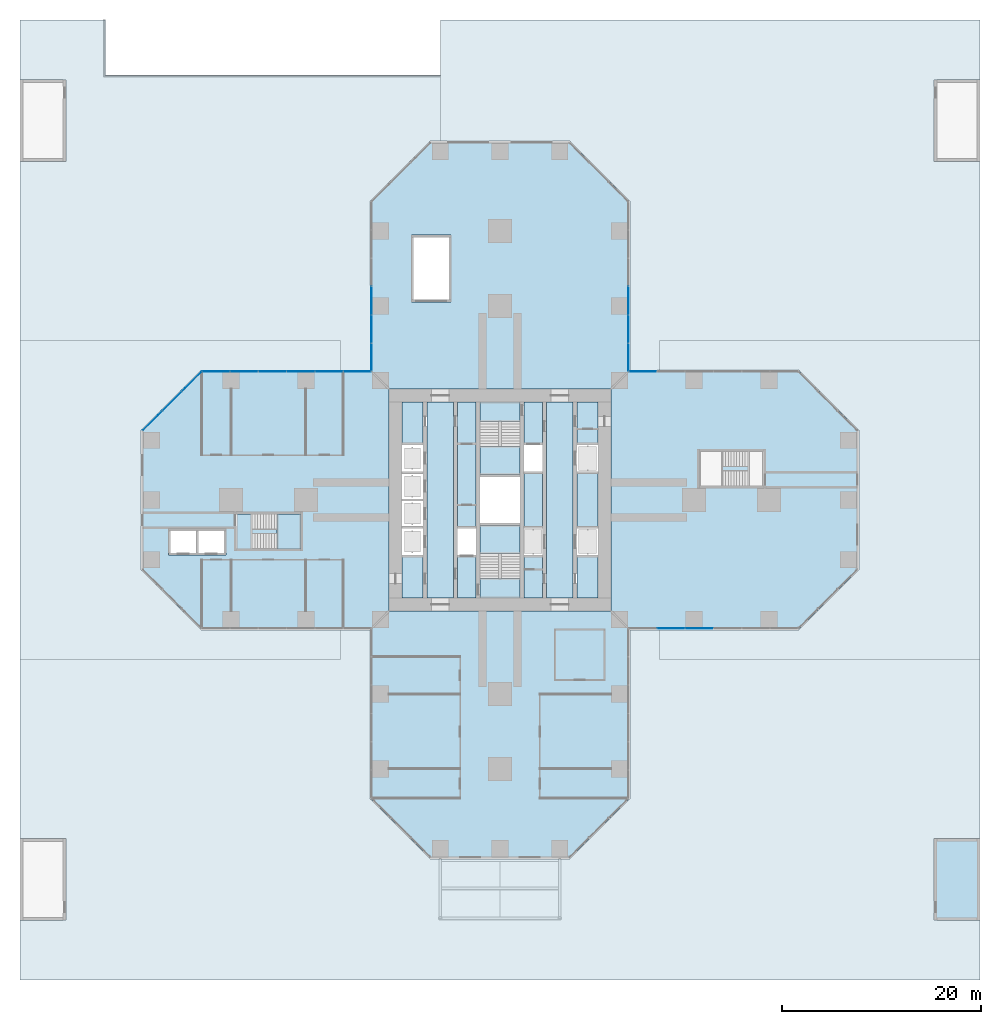
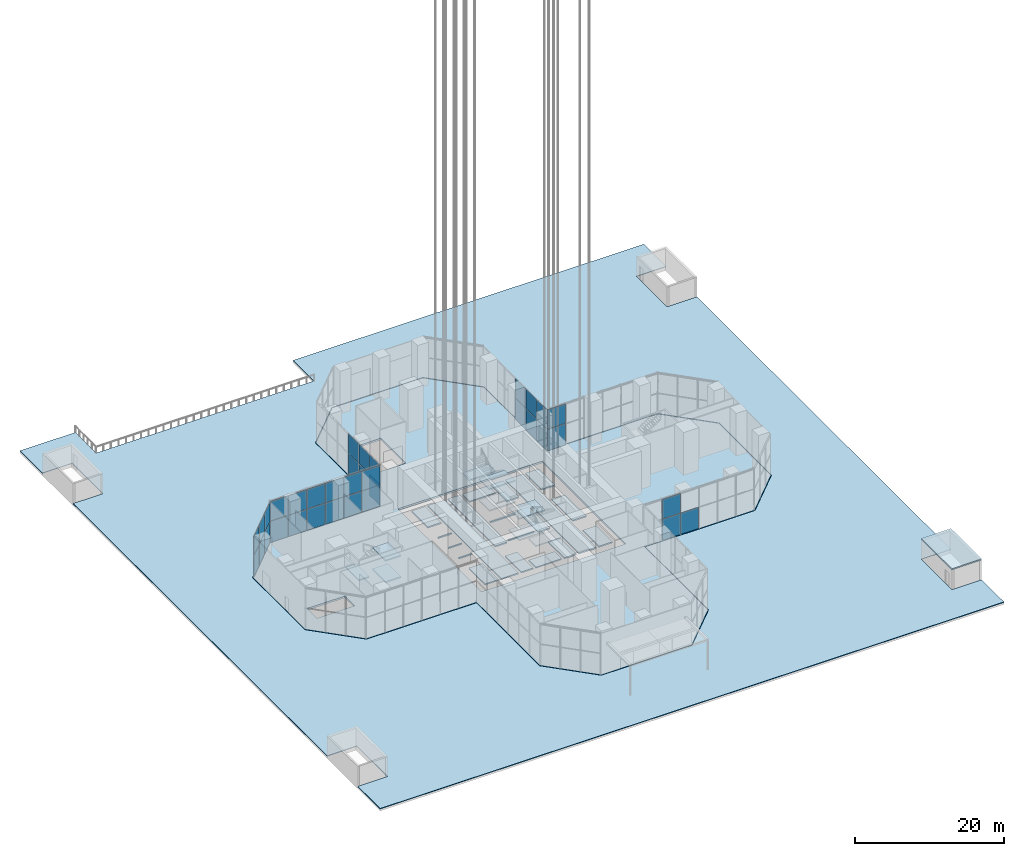
# One storey, part 14 of 43: 35 plates, 15 slabs, 9 elements without a shape of their own.
"""IFC4 building model written with IfcOpenShell, lengths in metres."""

from ifc_helpers import new_model, si_unit, direction, frame, origin, origin_2d, place, context, subcontext, project, spatial, polyline, rectangle, outline, extrude, material, layer, layer_set, type_object, element, aggregate, save


model = new_model("IFC4")

# Units and contexts
model_context = context("Model", 3, precision=1e-05, world=origin(), true_north=direction((0.0, 1.0)))
body_context = subcontext(model_context, "Body", "Model", "MODEL_VIEW")
ifc_project = project(units=[si_unit("LENGTHUNIT", "METRE"), si_unit("AREAUNIT", "SQUARE_METRE"), si_unit("VOLUMEUNIT", "CUBIC_METRE"), si_unit("PLANEANGLEUNIT", "RADIAN"), si_unit("MASSUNIT", "GRAM", prefix="KILO")], contexts=[model_context])

# Site, building, storey
site_placement = place(None, origin())
site = spatial("IfcSite", under=ifc_project, at=site_placement, CompositionType="ELEMENT")
building_placement = place(site_placement, origin())
building = spatial("IfcBuilding", under=site, at=building_placement, Name="Mizan Broadcast Tower", CompositionType="ELEMENT")
storey_placement = place(building_placement, origin())
storey = spatial("IfcBuildingStorey", under=building, at=storey_placement, Name="L00", CompositionType="ELEMENT", Elevation=0.0)

# Slabs
ifc_material_1 = material(Name="Concrete C40/50", Category="concrete")
ifc_layer_1 = layer(ifc_material_1, 0.199951171875)
ifc_layer_set_1 = layer_set([ifc_layer_1], Name="Concrete C40/50")
slab_type_1 = type_object("IfcSlabType", Name="CORE FLOOR 200", PredefinedType="FLOOR", material=ifc_layer_set_1)
slab_1_placement = place(storey_placement, frame((0.0, 0.0, -0.199951171875)))
element("IfcSlab", 1, at=slab_1_placement, inside=storey, type_object=slab_type_1, Name="Core floor L00", PredefinedType="FLOOR", context=body_context, shape_type="SweptSolid", body=[
    extrude(outline(polyline([(-9.85009765625, -9.85009765625), (-7.75, -9.85009765625), (-7.75, -5.5), (-9.85009765625, -5.5), (-9.85009765625, -9.85009765625)])), origin(), (0.0, 0.0, 1.0), 0.199951171875),
    extrude(outline(polyline([(-9.85009765625, -2.85009765625), (-7.75, -2.85009765625), (-7.75, -2.64990234375), (-9.85009765625, -2.64990234375), (-9.85009765625, -2.85009765625)])), origin(), (0.0, 0.0, 1.0), 0.199951171875),
    extrude(outline(polyline([(-9.85009765625, -0.10009765625), (-7.75, -0.10009765625), (-7.75, 0.10009765625), (-9.85009765625, 0.10009765625), (-9.85009765625, -0.10009765625)])), origin(), (0.0, 0.0, 1.0), 0.199951171875),
    extrude(outline(polyline([(-9.85009765625, 2.64990234375), (-7.75, 2.64990234375), (-7.75, 2.85009765625), (-9.85009765625, 2.85009765625), (-9.85009765625, 2.64990234375)])), origin(), (0.0, 0.0, 1.0), 0.199951171875),
    extrude(outline(polyline([(-9.85009765625, 5.5), (-7.75, 5.5), (-7.75, 9.85009765625), (-9.85009765625, 9.85009765625), (-9.85009765625, 5.5)])), origin(), (0.0, 0.0, 1.0), 0.199951171875),
    extrude(outline(polyline([(-4.64990234375, 9.85009765625), (-7.35009765625, 9.85009765625), (-7.35009765625, -9.85009765625), (-4.64990234375, -9.85009765625), (-4.64990234375, 9.85009765625)])), origin(), (0.0, 0.0, 1.0), 0.199951171875),
    extrude(outline(polyline([(-4.25, -5.5), (-4.25, -9.85009765625), (-2.39990234375, -9.85009765625), (-2.39990234375, -5.5), (-4.25, -5.5)])), origin(), (0.0, 0.0, 1.0), 0.199951171875),
    extrude(outline(polyline([(-4.25, -2.85009765625), (-2.39990234375, -2.85009765625), (-2.39990234375, 9.85009765625), (-4.25, 9.85009765625), (-4.25, -2.85009765625)])), origin(), (0.0, 0.0, 1.0), 0.199951171875),
    extrude(outline(polyline([(2.0, -2.324951171875), (-2.0, -2.324951171875), (-2.0, -2.574951171875), (2.0, -2.574951171875), (2.0, -2.324951171875)])), origin(), (0.0, 0.0, 1.0), 0.199951171875),
    extrude(outline(polyline([(2.0, 2.574951171875), (-2.0, 2.574951171875), (-2.0, 2.324951171875), (2.0, 2.324951171875), (2.0, 2.574951171875)])), origin(), (0.0, 0.0, 1.0), 0.199951171875),
    extrude(outline(polyline([(4.25, -9.85009765625), (4.25, -5.5), (2.39990234375, -5.5), (2.39990234375, -9.85009765625), (4.25, -9.85009765625)])), origin(), (0.0, 0.0, 1.0), 0.199951171875),
    extrude(outline(polyline([(4.25, -2.85009765625), (4.25, 2.85009765625), (2.39990234375, 2.85009765625), (2.39990234375, -2.85009765625), (4.25, -2.85009765625)])), origin(), (0.0, 0.0, 1.0), 0.199951171875),
    extrude(outline(polyline([(4.25, 5.5), (4.25, 9.85009765625), (2.39990234375, 9.85009765625), (2.39990234375, 5.5), (4.25, 5.5)])), origin(), (0.0, 0.0, 1.0), 0.199951171875),
    extrude(outline(polyline([(4.64990234375, 9.85009765625), (4.64990234375, -9.85009765625), (7.35009765625, -9.85009765625), (7.35009765625, 9.85009765625), (4.64990234375, 9.85009765625)])), origin(), (0.0, 0.0, 1.0), 0.199951171875),
    extrude(outline(polyline([(9.85009765625, -9.85009765625), (9.85009765625, -5.5), (7.75, -5.5), (7.75, -9.85009765625), (9.85009765625, -9.85009765625)])), origin(), (0.0, 0.0, 1.0), 0.199951171875),
    extrude(outline(polyline([(7.75, 2.85009765625), (7.75, -2.85009765625), (9.85009765625, -2.85009765625), (9.85009765625, 2.85009765625), (7.75, 2.85009765625)])), origin(), (0.0, 0.0, 1.0), 0.199951171875),
    extrude(outline(polyline([(9.85009765625, 5.5), (9.85009765625, 9.85009765625), (7.75, 9.85009765625), (7.75, 5.5), (9.85009765625, 5.5)])), origin(), (0.0, 0.0, 1.0), 0.199951171875),
])
ifc_material_2 = material(Name="Granite paving on bedding", Category="masonry")
ifc_layer_2 = layer(ifc_material_2, 0.10009765625)
ifc_layer_set_2 = layer_set([ifc_layer_2], Name="Granite paving on bedding")
slab_type_2 = type_object("IfcSlabType", Name="PLAZA PAVING 100", PredefinedType="USERDEFINED", material=ifc_layer_set_2)
slab_2_placement = place(storey_placement, frame((0.0, 0.0, -0.10009765625)))
element("IfcSlab", 2, at=slab_2_placement, inside=storey, type_object=slab_type_2, Name="Plaza paving", ObjectType="PAVING", PredefinedType="USERDEFINED", context=body_context, shape_type="SweptSolid", body=[
    extrude(outline(polyline([(-6.0, 48.199951171875), (-6.0, 42.64990234375), (-39.60009765625, 42.64990234375), (-39.60009765625, 48.199951171875), (-48.199951171875, 48.199951171875), (-48.199951171875, 42.199951171875), (-43.60009765625, 42.199951171875), (-43.60009765625, 34.0), (-48.199951171875, 34.0), (-48.199951171875, -34.0), (-43.60009765625, -34.0), (-43.60009765625, -42.199951171875), (-48.199951171875, -42.199951171875), (-48.199951171875, -48.199951171875), (48.199951171875, -48.199951171875), (48.199951171875, -42.199951171875), (43.60009765625, -42.199951171875), (43.60009765625, -34.0), (48.199951171875, -34.0), (48.199951171875, 34.0), (43.60009765625, 34.0), (43.60009765625, 42.199951171875), (48.199951171875, 42.199951171875), (48.199951171875, 48.199951171875), (-6.0, 48.199951171875)]), holes=[polyline([(13.050048828125, 30.020751953125), (13.050048828125, 13.050048828125), (30.020751953125, 13.050048828125), (36.050048828125, 7.020751953125), (36.050048828125, -7.020751953125), (30.020751953125, -13.050048828125), (13.050048828125, -13.050048828125), (13.050048828125, -30.020751953125), (7.020751953125, -36.050048828125), (-7.020751953125, -36.050048828125), (-13.050048828125, -30.020751953125), (-13.050048828125, -13.050048828125), (-30.020751953125, -13.050048828125), (-36.050048828125, -7.020751953125), (-36.050048828125, 7.020751953125), (-30.020751953125, 13.050048828125), (-13.050048828125, 13.050048828125), (-13.050048828125, 30.020751953125), (-7.020751953125, 36.050048828125), (7.020751953125, 36.050048828125), (13.050048828125, 30.020751953125)])]), origin(), (0.0, 0.0, 1.0), 0.10009765625),
])

# Curtain wall, plates
ifc_material_3 = material(Name="Aluminium framed glazing", Category="aluminium")
curtain_wall_type = type_object("IfcCurtainWallType", Name="PODIUM CURTAIN WALL", PredefinedType="USERDEFINED", material=ifc_material_3)
curtain_wall_1_placement = place(storey_placement, origin())
curtain_wall_1 = element("IfcCurtainWall", 3, at=curtain_wall_1_placement, inside=storey, type_object=curtain_wall_type, Name="Podium curtain wall L00 E side", ObjectType="PODIUM CURTAIN WALL", PredefinedType="USERDEFINED")
ifc_material_4 = material(Name="Double glazing, clear laminated", Category="glass")
ifc_layer_3 = layer(ifc_material_4, 0.031982421875)
ifc_layer_set_3 = layer_set([ifc_layer_3], Name="Double glazing, clear laminated")
plate_type = type_object("IfcPlateType", Name="PODIUM GLAZING UNIT", PredefinedType="CURTAIN_PANEL", material=ifc_layer_set_3)
plate_1_placement = place(storey_placement, frame((17.16455078125, -12.89990234375, 0.0), z_axis=(0.0, 0.0, 1.0), x_axis=(1.0, 0.0, 0.0)))
plate_1 = element("IfcPlate", 4, at=plate_1_placement, type_object=plate_type, Name="Podium curtain wall L00 E side panel 2.1", PredefinedType="CURTAIN_PANEL", context=body_context, shape_type="SweptSolid", body=[
    extrude(rectangle(XDim=2.783203125, YDim=0.031982421875, at=origin_2d()), origin(), (0.0, 0.0, 1.0), 3.469970703125),
])
plate_2_placement = place(storey_placement, frame((17.16455078125, -12.89990234375, 3.5302734375), z_axis=(0.0, 0.0, 1.0), x_axis=(1.0, 0.0, 0.0)))
plate_2 = element("IfcPlate", 5, at=plate_2_placement, type_object=plate_type, Name="Podium curtain wall L00 E side panel 2.2", PredefinedType="CURTAIN_PANEL", context=body_context, shape_type="SweptSolid", body=[
    extrude(rectangle(XDim=2.783203125, YDim=0.031982421875, at=origin_2d()), origin(), (0.0, 0.0, 1.0), 3.159912109375),
])
plate_3_placement = place(storey_placement, frame((20.0078125, -12.89990234375, 0.0), z_axis=(0.0, 0.0, 1.0), x_axis=(1.0, 0.0, 0.0)))
plate_3 = element("IfcPlate", 6, at=plate_3_placement, type_object=plate_type, Name="Podium curtain wall L00 E side panel 3.1", PredefinedType="CURTAIN_PANEL", context=body_context, shape_type="SweptSolid", body=[
    extrude(rectangle(XDim=2.783203125, YDim=0.031982421875, at=origin_2d()), origin(), (0.0, 0.0, 1.0), 3.469970703125),
])
aggregate(curtain_wall_1, [plate_1, plate_2, plate_3])

curtain_wall_2_placement = place(storey_placement, origin())
curtain_wall_2 = element("IfcCurtainWall", 7, at=curtain_wall_2_placement, inside=storey, type_object=curtain_wall_type, Name="Podium curtain wall L00 E side", ObjectType="PODIUM CURTAIN WALL", PredefinedType="USERDEFINED")
plate_4_placement = place(storey_placement, frame((14.336669921875, 12.89990234375, 0.0), z_axis=(0.0, 0.0, 1.0), x_axis=(-1.0, 0.0, 0.0)))
plate_4 = element("IfcPlate", 8, at=plate_4_placement, type_object=plate_type, Name="Podium curtain wall L00 E side panel 6.1", PredefinedType="CURTAIN_PANEL", context=body_context, shape_type="SweptSolid", body=[
    extrude(rectangle(XDim=2.753173828125, YDim=0.031982421875, at=origin_2d()), origin(), (0.0, 0.0, 1.0), 3.469970703125),
])
plate_5_placement = place(storey_placement, frame((14.336669921875, 12.89990234375, 3.5302734375), z_axis=(0.0, 0.0, 1.0), x_axis=(-1.0, 0.0, 0.0)))
plate_5 = element("IfcPlate", 9, at=plate_5_placement, type_object=plate_type, Name="Podium curtain wall L00 E side panel 6.2", PredefinedType="CURTAIN_PANEL", context=body_context, shape_type="SweptSolid", body=[
    extrude(rectangle(XDim=2.753173828125, YDim=0.031982421875, at=origin_2d()), origin(), (0.0, 0.0, 1.0), 3.159912109375),
])
aggregate(curtain_wall_2, [plate_4, plate_5])

curtain_wall_3_placement = place(storey_placement, origin())
curtain_wall_3 = element("IfcCurtainWall", 10, at=curtain_wall_3_placement, inside=storey, type_object=curtain_wall_type, Name="Podium curtain wall L00 N side", ObjectType="PODIUM CURTAIN WALL", PredefinedType="USERDEFINED")
plate_6_placement = place(storey_placement, frame((12.89990234375, 14.336669921875, 0.0), z_axis=(0.0, 0.0, 1.0), x_axis=(0.0, 1.0, 0.0)))
plate_6 = element("IfcPlate", 11, at=plate_6_placement, type_object=plate_type, Name="Podium curtain wall L00 N side panel 1.1", PredefinedType="CURTAIN_PANEL", context=body_context, shape_type="SweptSolid", body=[
    extrude(rectangle(XDim=2.753173828125, YDim=0.031982421875, at=origin_2d()), origin(), (0.0, 0.0, 1.0), 3.469970703125),
])
plate_7_placement = place(storey_placement, frame((12.89990234375, 14.336669921875, 3.5302734375), z_axis=(0.0, 0.0, 1.0), x_axis=(0.0, 1.0, 0.0)))
plate_7 = element("IfcPlate", 12, at=plate_7_placement, type_object=plate_type, Name="Podium curtain wall L00 N side panel 1.2", PredefinedType="CURTAIN_PANEL", context=body_context, shape_type="SweptSolid", body=[
    extrude(rectangle(XDim=2.753173828125, YDim=0.031982421875, at=origin_2d()), origin(), (0.0, 0.0, 1.0), 3.159912109375),
])
plate_8_placement = place(storey_placement, frame((12.89990234375, 17.16455078125, 0.0), z_axis=(0.0, 0.0, 1.0), x_axis=(0.0, 1.0, 0.0)))
plate_8 = element("IfcPlate", 13, at=plate_8_placement, type_object=plate_type, Name="Podium curtain wall L00 N side panel 2.1", PredefinedType="CURTAIN_PANEL", context=body_context, shape_type="SweptSolid", body=[
    extrude(rectangle(XDim=2.783203125, YDim=0.031982421875, at=origin_2d()), origin(), (0.0, 0.0, 1.0), 3.469970703125),
])
plate_9_placement = place(storey_placement, frame((12.89990234375, 17.16455078125, 3.5302734375), z_axis=(0.0, 0.0, 1.0), x_axis=(0.0, 1.0, 0.0)))
plate_9 = element("IfcPlate", 14, at=plate_9_placement, type_object=plate_type, Name="Podium curtain wall L00 N side panel 2.2", PredefinedType="CURTAIN_PANEL", context=body_context, shape_type="SweptSolid", body=[
    extrude(rectangle(XDim=2.783203125, YDim=0.031982421875, at=origin_2d()), origin(), (0.0, 0.0, 1.0), 3.159912109375),
])
plate_10_placement = place(storey_placement, frame((12.89990234375, 20.0078125, 0.0), z_axis=(0.0, 0.0, 1.0), x_axis=(0.0, 1.0, 0.0)))
plate_10 = element("IfcPlate", 15, at=plate_10_placement, type_object=plate_type, Name="Podium curtain wall L00 N side panel 3.1", PredefinedType="CURTAIN_PANEL", context=body_context, shape_type="SweptSolid", body=[
    extrude(rectangle(XDim=2.783203125, YDim=0.031982421875, at=origin_2d()), origin(), (0.0, 0.0, 1.0), 3.469970703125),
])
plate_11_placement = place(storey_placement, frame((12.89990234375, 20.0078125, 3.5302734375), z_axis=(0.0, 0.0, 1.0), x_axis=(0.0, 1.0, 0.0)))
plate_11 = element("IfcPlate", 16, at=plate_11_placement, type_object=plate_type, Name="Podium curtain wall L00 N side panel 3.2", PredefinedType="CURTAIN_PANEL", context=body_context, shape_type="SweptSolid", body=[
    extrude(rectangle(XDim=2.783203125, YDim=0.031982421875, at=origin_2d()), origin(), (0.0, 0.0, 1.0), 3.159912109375),
])
aggregate(curtain_wall_3, [plate_6, plate_7, plate_8, plate_9, plate_10, plate_11])

curtain_wall_4_placement = place(storey_placement, origin())
curtain_wall_4 = element("IfcCurtainWall", 17, at=curtain_wall_4_placement, inside=storey, type_object=curtain_wall_type, Name="Podium curtain wall L00 N side", ObjectType="PODIUM CURTAIN WALL", PredefinedType="USERDEFINED")
plate_12_placement = place(storey_placement, frame((-12.89990234375, 20.0078125, 0.0), z_axis=(0.0, 0.0, 1.0), x_axis=(0.0, -1.0, 0.0)))
plate_12 = element("IfcPlate", 18, at=plate_12_placement, type_object=plate_type, Name="Podium curtain wall L00 N side panel 4.1", PredefinedType="CURTAIN_PANEL", context=body_context, shape_type="SweptSolid", body=[
    extrude(rectangle(XDim=2.783203125, YDim=0.031982421875, at=origin_2d()), origin(), (0.0, 0.0, 1.0), 3.469970703125),
])
plate_13_placement = place(storey_placement, frame((-12.89990234375, 20.0078125, 3.5302734375), z_axis=(0.0, 0.0, 1.0), x_axis=(0.0, -1.0, 0.0)))
plate_13 = element("IfcPlate", 19, at=plate_13_placement, type_object=plate_type, Name="Podium curtain wall L00 N side panel 4.2", PredefinedType="CURTAIN_PANEL", context=body_context, shape_type="SweptSolid", body=[
    extrude(rectangle(XDim=2.783203125, YDim=0.031982421875, at=origin_2d()), origin(), (0.0, 0.0, 1.0), 3.159912109375),
])
plate_14_placement = place(storey_placement, frame((-12.89990234375, 17.16455078125, 0.0), z_axis=(0.0, 0.0, 1.0), x_axis=(0.0, -1.0, 0.0)))
plate_14 = element("IfcPlate", 20, at=plate_14_placement, type_object=plate_type, Name="Podium curtain wall L00 N side panel 5.1", PredefinedType="CURTAIN_PANEL", context=body_context, shape_type="SweptSolid", body=[
    extrude(rectangle(XDim=2.783203125, YDim=0.031982421875, at=origin_2d()), origin(), (0.0, 0.0, 1.0), 3.469970703125),
])
plate_15_placement = place(storey_placement, frame((-12.89990234375, 17.16455078125, 3.5302734375), z_axis=(0.0, 0.0, 1.0), x_axis=(0.0, -1.0, 0.0)))
plate_15 = element("IfcPlate", 21, at=plate_15_placement, type_object=plate_type, Name="Podium curtain wall L00 N side panel 5.2", PredefinedType="CURTAIN_PANEL", context=body_context, shape_type="SweptSolid", body=[
    extrude(rectangle(XDim=2.783203125, YDim=0.031982421875, at=origin_2d()), origin(), (0.0, 0.0, 1.0), 3.159912109375),
])
plate_16_placement = place(storey_placement, frame((-12.89990234375, 14.336669921875, 0.0), z_axis=(0.0, 0.0, 1.0), x_axis=(0.0, -1.0, 0.0)))
plate_16 = element("IfcPlate", 22, at=plate_16_placement, type_object=plate_type, Name="Podium curtain wall L00 N side panel 6.1", PredefinedType="CURTAIN_PANEL", context=body_context, shape_type="SweptSolid", body=[
    extrude(rectangle(XDim=2.753173828125, YDim=0.031982421875, at=origin_2d()), origin(), (0.0, 0.0, 1.0), 3.469970703125),
])
plate_17_placement = place(storey_placement, frame((-12.89990234375, 14.336669921875, 3.5302734375), z_axis=(0.0, 0.0, 1.0), x_axis=(0.0, -1.0, 0.0)))
plate_17 = element("IfcPlate", 23, at=plate_17_placement, type_object=plate_type, Name="Podium curtain wall L00 N side panel 6.2", PredefinedType="CURTAIN_PANEL", context=body_context, shape_type="SweptSolid", body=[
    extrude(rectangle(XDim=2.753173828125, YDim=0.031982421875, at=origin_2d()), origin(), (0.0, 0.0, 1.0), 3.159912109375),
])
aggregate(curtain_wall_4, [plate_12, plate_13, plate_14, plate_15, plate_16, plate_17])

curtain_wall_5_placement = place(storey_placement, origin())
curtain_wall_5 = element("IfcCurtainWall", 24, at=curtain_wall_5_placement, inside=storey, type_object=curtain_wall_type, Name="Podium curtain wall L00 W side", ObjectType="PODIUM CURTAIN WALL", PredefinedType="USERDEFINED")
plate_18_placement = place(storey_placement, frame((-14.336669921875, 12.89990234375, 0.0), z_axis=(0.0, 0.0, 1.0), x_axis=(-1.0, 0.0, 0.0)))
plate_18 = element("IfcPlate", 25, at=plate_18_placement, type_object=plate_type, Name="Podium curtain wall L00 W side panel 1.1", PredefinedType="CURTAIN_PANEL", context=body_context, shape_type="SweptSolid", body=[
    extrude(rectangle(XDim=2.753173828125, YDim=0.031982421875, at=origin_2d()), origin(), (0.0, 0.0, 1.0), 3.469970703125),
])
plate_19_placement = place(storey_placement, frame((-14.336669921875, 12.89990234375, 3.5302734375), z_axis=(0.0, 0.0, 1.0), x_axis=(-1.0, 0.0, 0.0)))
plate_19 = element("IfcPlate", 26, at=plate_19_placement, type_object=plate_type, Name="Podium curtain wall L00 W side panel 1.2", PredefinedType="CURTAIN_PANEL", context=body_context, shape_type="SweptSolid", body=[
    extrude(rectangle(XDim=2.753173828125, YDim=0.031982421875, at=origin_2d()), origin(), (0.0, 0.0, 1.0), 3.159912109375),
])
plate_20_placement = place(storey_placement, frame((-17.16455078125, 12.89990234375, 0.0), z_axis=(0.0, 0.0, 1.0), x_axis=(-1.0, 0.0, 0.0)))
plate_20 = element("IfcPlate", 27, at=plate_20_placement, type_object=plate_type, Name="Podium curtain wall L00 W side panel 2.1", PredefinedType="CURTAIN_PANEL", context=body_context, shape_type="SweptSolid", body=[
    extrude(rectangle(XDim=2.783203125, YDim=0.031982421875, at=origin_2d()), origin(), (0.0, 0.0, 1.0), 3.469970703125),
])
plate_21_placement = place(storey_placement, frame((-17.16455078125, 12.89990234375, 3.5302734375), z_axis=(0.0, 0.0, 1.0), x_axis=(-1.0, 0.0, 0.0)))
plate_21 = element("IfcPlate", 28, at=plate_21_placement, type_object=plate_type, Name="Podium curtain wall L00 W side panel 2.2", PredefinedType="CURTAIN_PANEL", context=body_context, shape_type="SweptSolid", body=[
    extrude(rectangle(XDim=2.783203125, YDim=0.031982421875, at=origin_2d()), origin(), (0.0, 0.0, 1.0), 3.159912109375),
])
plate_22_placement = place(storey_placement, frame((-20.0078125, 12.89990234375, 0.0), z_axis=(0.0, 0.0, 1.0), x_axis=(-1.0, 0.0, 0.0)))
plate_22 = element("IfcPlate", 29, at=plate_22_placement, type_object=plate_type, Name="Podium curtain wall L00 W side panel 3.1", PredefinedType="CURTAIN_PANEL", context=body_context, shape_type="SweptSolid", body=[
    extrude(rectangle(XDim=2.783203125, YDim=0.031982421875, at=origin_2d()), origin(), (0.0, 0.0, 1.0), 3.469970703125),
])
plate_23_placement = place(storey_placement, frame((-20.0078125, 12.89990234375, 3.5302734375), z_axis=(0.0, 0.0, 1.0), x_axis=(-1.0, 0.0, 0.0)))
plate_23 = element("IfcPlate", 30, at=plate_23_placement, type_object=plate_type, Name="Podium curtain wall L00 W side panel 3.2", PredefinedType="CURTAIN_PANEL", context=body_context, shape_type="SweptSolid", body=[
    extrude(rectangle(XDim=2.783203125, YDim=0.031982421875, at=origin_2d()), origin(), (0.0, 0.0, 1.0), 3.159912109375),
])
plate_24_placement = place(storey_placement, frame((-22.850830078125, 12.89990234375, 0.0), z_axis=(0.0, 0.0, 1.0), x_axis=(-1.0, 0.0, 0.0)))
plate_24 = element("IfcPlate", 31, at=plate_24_placement, type_object=plate_type, Name="Podium curtain wall L00 W side panel 4.1", PredefinedType="CURTAIN_PANEL", context=body_context, shape_type="SweptSolid", body=[
    extrude(rectangle(XDim=2.783203125, YDim=0.031982421875, at=origin_2d()), origin(), (0.0, 0.0, 1.0), 3.469970703125),
])
plate_25_placement = place(storey_placement, frame((-22.850830078125, 12.89990234375, 3.5302734375), z_axis=(0.0, 0.0, 1.0), x_axis=(-1.0, 0.0, 0.0)))
plate_25 = element("IfcPlate", 32, at=plate_25_placement, type_object=plate_type, Name="Podium curtain wall L00 W side panel 4.2", PredefinedType="CURTAIN_PANEL", context=body_context, shape_type="SweptSolid", body=[
    extrude(rectangle(XDim=2.783203125, YDim=0.031982421875, at=origin_2d()), origin(), (0.0, 0.0, 1.0), 3.159912109375),
])
plate_26_placement = place(storey_placement, frame((-25.69384765625, 12.89990234375, 0.0), z_axis=(0.0, 0.0, 1.0), x_axis=(-1.0, 0.0, 0.0)))
plate_26 = element("IfcPlate", 33, at=plate_26_placement, type_object=plate_type, Name="Podium curtain wall L00 W side panel 5.1", PredefinedType="CURTAIN_PANEL", context=body_context, shape_type="SweptSolid", body=[
    extrude(rectangle(XDim=2.783203125, YDim=0.031982421875, at=origin_2d()), origin(), (0.0, 0.0, 1.0), 3.469970703125),
])
plate_27_placement = place(storey_placement, frame((-25.69384765625, 12.89990234375, 3.5302734375), z_axis=(0.0, 0.0, 1.0), x_axis=(-1.0, 0.0, 0.0)))
plate_27 = element("IfcPlate", 34, at=plate_27_placement, type_object=plate_type, Name="Podium curtain wall L00 W side panel 5.2", PredefinedType="CURTAIN_PANEL", context=body_context, shape_type="SweptSolid", body=[
    extrude(rectangle(XDim=2.783203125, YDim=0.031982421875, at=origin_2d()), origin(), (0.0, 0.0, 1.0), 3.159912109375),
])
plate_28_placement = place(storey_placement, frame((-28.52197265625, 12.89990234375, 0.0), z_axis=(0.0, 0.0, 1.0), x_axis=(-1.0, 0.0, 0.0)))
plate_28 = element("IfcPlate", 35, at=plate_28_placement, type_object=plate_type, Name="Podium curtain wall L00 W side panel 6.1", PredefinedType="CURTAIN_PANEL", context=body_context, shape_type="SweptSolid", body=[
    extrude(rectangle(XDim=2.753173828125, YDim=0.031982421875, at=origin_2d()), origin(), (0.0, 0.0, 1.0), 3.469970703125),
])
plate_29_placement = place(storey_placement, frame((-28.52197265625, 12.89990234375, 3.5302734375), z_axis=(0.0, 0.0, 1.0), x_axis=(-1.0, 0.0, 0.0)))
plate_29 = element("IfcPlate", 36, at=plate_29_placement, type_object=plate_type, Name="Podium curtain wall L00 W side panel 6.2", PredefinedType="CURTAIN_PANEL", context=body_context, shape_type="SweptSolid", body=[
    extrude(rectangle(XDim=2.753173828125, YDim=0.031982421875, at=origin_2d()), origin(), (0.0, 0.0, 1.0), 3.159912109375),
])
aggregate(curtain_wall_5, [plate_18, plate_19, plate_20, plate_21, plate_22, plate_23, plate_24, plate_25, plate_26, plate_27, plate_28, plate_29])

curtain_wall_6_placement = place(storey_placement, origin())
curtain_wall_6 = element("IfcCurtainWall", 37, at=curtain_wall_6_placement, inside=storey, type_object=curtain_wall_type, Name="Podium curtain wall L00 W chamfer", ObjectType="PODIUM CURTAIN WALL", PredefinedType="USERDEFINED")
plate_30_placement = place(storey_placement, frame((-30.95947265625, 11.899169921875, 0.0), z_axis=(0.0, 0.0, 1.0), x_axis=(-0.707106781187, -0.707106781187, 0.0)))
plate_30 = element("IfcPlate", 38, at=plate_30_placement, type_object=plate_type, Name="Podium curtain wall L00 W chamfer panel 1.1", PredefinedType="CURTAIN_PANEL", context=body_context, shape_type="SweptSolid", body=[
    extrude(rectangle(XDim=2.710693359375, YDim=0.031982421875, at=origin_2d()), origin(), (0.0, 0.0, 1.0), 3.469970703125),
])
plate_31_placement = place(storey_placement, frame((-30.95947265625, 11.899169921875, 3.5302734375), z_axis=(0.0, 0.0, 1.0), x_axis=(-0.707106781187, -0.707106781187, 0.0)))
plate_31 = element("IfcPlate", 39, at=plate_31_placement, type_object=plate_type, Name="Podium curtain wall L00 W chamfer panel 1.2", PredefinedType="CURTAIN_PANEL", context=body_context, shape_type="SweptSolid", body=[
    extrude(rectangle(XDim=2.710693359375, YDim=0.031982421875, at=origin_2d()), origin(), (0.0, 0.0, 1.0), 3.159912109375),
])
plate_32_placement = place(storey_placement, frame((-32.92919921875, 9.92919921875, 0.0), z_axis=(0.0, 0.0, 1.0), x_axis=(-0.707106781187, -0.707106781187, 0.0)))
plate_32 = element("IfcPlate", 40, at=plate_32_placement, type_object=plate_type, Name="Podium curtain wall L00 W chamfer panel 2.1", PredefinedType="CURTAIN_PANEL", context=body_context, shape_type="SweptSolid", body=[
    extrude(rectangle(XDim=2.74072265625, YDim=0.031982421875, at=origin_2d()), origin(), (0.0, 0.0, 1.0), 3.469970703125),
])
plate_33_placement = place(storey_placement, frame((-32.92919921875, 9.92919921875, 3.5302734375), z_axis=(0.0, 0.0, 1.0), x_axis=(-0.707106781187, -0.707106781187, 0.0)))
plate_33 = element("IfcPlate", 41, at=plate_33_placement, type_object=plate_type, Name="Podium curtain wall L00 W chamfer panel 2.2", PredefinedType="CURTAIN_PANEL", context=body_context, shape_type="SweptSolid", body=[
    extrude(rectangle(XDim=2.74072265625, YDim=0.031982421875, at=origin_2d()), origin(), (0.0, 0.0, 1.0), 3.159912109375),
])
plate_34_placement = place(storey_placement, frame((-34.899169921875, 7.95947265625, 0.0), z_axis=(0.0, 0.0, 1.0), x_axis=(-0.707106781187, -0.707106781187, 0.0)))
plate_34 = element("IfcPlate", 42, at=plate_34_placement, type_object=plate_type, Name="Podium curtain wall L00 W chamfer panel 3.1", PredefinedType="CURTAIN_PANEL", context=body_context, shape_type="SweptSolid", body=[
    extrude(rectangle(XDim=2.710693359375, YDim=0.031982421875, at=origin_2d()), origin(), (0.0, 0.0, 1.0), 3.469970703125),
])
plate_35_placement = place(storey_placement, frame((-34.899169921875, 7.95947265625, 3.5302734375), z_axis=(0.0, 0.0, 1.0), x_axis=(-0.707106781187, -0.707106781187, 0.0)))
plate_35 = element("IfcPlate", 43, at=plate_35_placement, type_object=plate_type, Name="Podium curtain wall L00 W chamfer panel 3.2", PredefinedType="CURTAIN_PANEL", context=body_context, shape_type="SweptSolid", body=[
    extrude(rectangle(XDim=2.710693359375, YDim=0.031982421875, at=origin_2d()), origin(), (0.0, 0.0, 1.0), 3.159912109375),
])
aggregate(curtain_wall_6, [plate_30, plate_31, plate_32, plate_33, plate_34, plate_35])

# Slabs
ifc_material_5 = material(Name="Concrete C40/50", Category="concrete")
ifc_layer_4 = layer(ifc_material_5, 0.300048828125)
ifc_layer_set_4 = layer_set([ifc_layer_4], Name="Concrete C40/50")
slab_type_3 = type_object("IfcSlabType", Name="RC GROUND FLOOR SLAB 300", PredefinedType="FLOOR", material=ifc_layer_set_4)
slab_3_placement = place(storey_placement, frame((0.0, 0.0, -0.300048828125)))
element("IfcSlab", 44, at=slab_3_placement, inside=storey, type_object=slab_type_3, Name="Floor slab L00", PredefinedType="FLOOR", context=body_context, shape_type="SweptSolid", body=[
    extrude(outline(polyline([(-7.0, -36.0), (7.0, -36.0), (13.0, -30.0), (13.0, -13.0), (30.0, -13.0), (36.0, -7.0), (36.0, 7.0), (30.0, 13.0), (13.0, 13.0), (13.0, 30.0), (7.0, 36.0), (-7.0, 36.0), (-13.0, 30.0), (-13.0, 13.0), (-30.0, 13.0), (-36.0, 7.0), (-36.0, -7.0), (-30.0, -13.0), (-13.0, -13.0), (-13.0, -30.0), (-7.0, -36.0)]), holes=[polyline([(-11.14990234375, -11.14990234375), (-11.14990234375, 11.14990234375), (11.14990234375, 11.14990234375), (11.14990234375, -11.14990234375), (-11.14990234375, -11.14990234375)]), polyline([(-4.89990234375, 26.60009765625), (-4.89990234375, 19.89990234375), (-8.89990234375, 19.89990234375), (-8.89990234375, 26.60009765625), (-4.89990234375, 26.60009765625)]), polyline([(-33.300048828125, -5.5), (-33.300048828125, -2.89990234375), (-27.5, -2.89990234375), (-27.5, -5.5), (-33.300048828125, -5.5)])]), origin(), (0.0, 0.0, 1.0), 0.300048828125),
])
ifc_material_6 = material(Name="Concrete C32/40", Category="concrete")
ifc_layer_5 = layer(ifc_material_6, 0.199951171875)
ifc_layer_set_5 = layer_set([ifc_layer_5], Name="Concrete C32/40")
slab_type_4 = type_object("IfcSlabType", Name="STAIR HEAD-HOUSE ROOF 200", PredefinedType="ROOF", material=ifc_layer_set_5)
slab_4_placement = place(storey_placement, frame((0.0, 0.0, 3.199951171875)))
element("IfcSlab", 45, at=slab_4_placement, inside=storey, type_object=slab_type_4, Name="Stair H head-house roof", PredefinedType="ROOF", context=body_context, shape_type="SweptSolid", body=[
    extrude(outline(polyline([(43.60009765625, -42.199951171875), (48.199951171875, -42.199951171875), (48.199951171875, -34.0), (43.60009765625, -34.0), (43.60009765625, -42.199951171875)])), origin(), (0.0, 0.0, 1.0), 0.199951171875),
])

# Stair, slabs
ifc_material_7 = material(Name="Concrete C40/50", Category="concrete")
stair_type = type_object("IfcStairType", Name="EXIT STAIR", PredefinedType="HALF_TURN_STAIR", material=ifc_material_7)
stair_1_placement = place(storey_placement, origin())
stair_1 = element("IfcStair", 46, at=stair_1_placement, inside=storey, type_object=stair_type, Name="Stair A L00", PredefinedType="HALF_TURN_STAIR")
ifc_material_8 = material(Name="Concrete C40/50", Category="concrete")
ifc_layer_6 = layer(ifc_material_8, 0.199951171875)
ifc_layer_set_6 = layer_set([ifc_layer_6], Name="Concrete C40/50")
slab_type_5 = type_object("IfcSlabType", Name="STAIR LANDING 200", PredefinedType="LANDING", material=ifc_layer_set_6)
slab_5_placement = place(storey_placement, frame((0.0, 0.0, -0.199951171875)))
slab_5 = element("IfcSlab", 47, at=slab_5_placement, type_object=slab_type_5, Name="A landing 1", PredefinedType="LANDING", context=body_context, shape_type="SweptSolid", body=[
    extrude(outline(polyline([(-2.0, -9.85009765625), (-2.0, -7.89990234375), (2.0, -7.89990234375), (2.0, -9.85009765625), (-2.0, -9.85009765625)])), origin(), (0.0, 0.0, 1.0), 0.199951171875),
])
slab_6_placement = place(storey_placement, frame((0.0, 0.0, 1.550048828125)))
slab_6 = element("IfcSlab", 48, at=slab_6_placement, type_object=slab_type_5, Name="A landing 2", PredefinedType="LANDING", context=body_context, shape_type="SweptSolid", body=[
    extrude(outline(polyline([(-2.0, -5.3798828125), (-2.0, -2.574951171875), (2.0, -2.574951171875), (2.0, -5.3798828125), (-2.0, -5.3798828125)])), origin(), (0.0, 0.0, 1.0), 0.199951171875),
])
slab_7_placement = place(storey_placement, frame((0.0, 0.0, 3.300048828125)))
slab_7 = element("IfcSlab", 49, at=slab_7_placement, type_object=slab_type_5, Name="A landing 3", PredefinedType="LANDING", context=body_context, shape_type="SweptSolid", body=[
    extrude(outline(polyline([(-2.0, -9.85009765625), (-2.0, -7.89990234375), (2.0, -7.89990234375), (2.0, -9.85009765625), (-2.0, -9.85009765625)])), origin(), (0.0, 0.0, 1.0), 0.199951171875),
])
slab_8_placement = place(storey_placement, frame((0.0, 0.0, 5.050048828125)))
slab_8 = element("IfcSlab", 50, at=slab_8_placement, type_object=slab_type_5, Name="A landing 4", PredefinedType="LANDING", context=body_context, shape_type="SweptSolid", body=[
    extrude(outline(polyline([(-2.0, -5.3798828125), (-2.0, -2.574951171875), (2.0, -2.574951171875), (2.0, -5.3798828125), (-2.0, -5.3798828125)])), origin(), (0.0, 0.0, 1.0), 0.199951171875),
])
aggregate(stair_1, [slab_5, slab_6, slab_7, slab_8])

stair_2_placement = place(storey_placement, origin())
stair_2 = element("IfcStair", 51, at=stair_2_placement, inside=storey, type_object=stair_type, Name="Stair B L00", PredefinedType="HALF_TURN_STAIR")
slab_9_placement = place(storey_placement, frame((0.0, 0.0, -0.199951171875)))
slab_9 = element("IfcSlab", 52, at=slab_9_placement, type_object=slab_type_5, Name="B landing 1", PredefinedType="LANDING", context=body_context, shape_type="SweptSolid", body=[
    extrude(outline(polyline([(2.0, 9.85009765625), (2.0, 7.89990234375), (-2.0, 7.89990234375), (-2.0, 9.85009765625), (2.0, 9.85009765625)])), origin(), (0.0, 0.0, 1.0), 0.199951171875),
])
slab_10_placement = place(storey_placement, frame((0.0, 0.0, 1.550048828125)))
slab_10 = element("IfcSlab", 53, at=slab_10_placement, type_object=slab_type_5, Name="B landing 2", PredefinedType="LANDING", context=body_context, shape_type="SweptSolid", body=[
    extrude(outline(polyline([(2.0, 5.3798828125), (2.0, 2.574951171875), (-2.0, 2.574951171875), (-2.0, 5.3798828125), (2.0, 5.3798828125)])), origin(), (0.0, 0.0, 1.0), 0.199951171875),
])
slab_11_placement = place(storey_placement, frame((0.0, 0.0, 3.300048828125)))
slab_11 = element("IfcSlab", 54, at=slab_11_placement, type_object=slab_type_5, Name="B landing 3", PredefinedType="LANDING", context=body_context, shape_type="SweptSolid", body=[
    extrude(outline(polyline([(2.0, 9.85009765625), (2.0, 7.89990234375), (-2.0, 7.89990234375), (-2.0, 9.85009765625), (2.0, 9.85009765625)])), origin(), (0.0, 0.0, 1.0), 0.199951171875),
])
slab_12_placement = place(storey_placement, frame((0.0, 0.0, 5.050048828125)))
slab_12 = element("IfcSlab", 55, at=slab_12_placement, type_object=slab_type_5, Name="B landing 4", PredefinedType="LANDING", context=body_context, shape_type="SweptSolid", body=[
    extrude(outline(polyline([(2.0, 5.3798828125), (2.0, 2.574951171875), (-2.0, 2.574951171875), (-2.0, 5.3798828125), (2.0, 5.3798828125)])), origin(), (0.0, 0.0, 1.0), 0.199951171875),
])
aggregate(stair_2, [slab_9, slab_10, slab_11, slab_12])

stair_3_placement = place(storey_placement, origin())
stair_3 = element("IfcStair", 56, at=stair_3_placement, inside=storey, type_object=stair_type, Name="Stair D L00", PredefinedType="HALF_TURN_STAIR")
slab_13_placement = place(storey_placement, frame((0.0, 0.0, 1.550048828125)))
slab_13 = element("IfcSlab", 57, at=slab_13_placement, type_object=slab_type_5, Name="D landing 1", PredefinedType="LANDING", context=body_context, shape_type="SweptSolid", body=[
    extrude(outline(polyline([(-22.3701171875, -1.39990234375), (-20.0, -1.39990234375), (-20.0, -4.89990234375), (-22.3701171875, -4.89990234375), (-22.3701171875, -1.39990234375)])), origin(), (0.0, 0.0, 1.0), 0.199951171875),
])
slab_14_placement = place(storey_placement, frame((0.0, 0.0, 3.300048828125)))
slab_14 = element("IfcSlab", 58, at=slab_14_placement, type_object=slab_type_5, Name="D landing 2", PredefinedType="LANDING", context=body_context, shape_type="SweptSolid", body=[
    extrude(outline(polyline([(-26.5, -1.39990234375), (-24.889892578125, -1.39990234375), (-24.889892578125, -4.89990234375), (-26.5, -4.89990234375), (-26.5, -1.39990234375)])), origin(), (0.0, 0.0, 1.0), 0.199951171875),
])
slab_15_placement = place(storey_placement, frame((0.0, 0.0, 5.050048828125)))
slab_15 = element("IfcSlab", 59, at=slab_15_placement, type_object=slab_type_5, Name="D landing 3", PredefinedType="LANDING", context=body_context, shape_type="SweptSolid", body=[
    extrude(outline(polyline([(-22.3701171875, -1.39990234375), (-20.0, -1.39990234375), (-20.0, -4.89990234375), (-22.3701171875, -4.89990234375), (-22.3701171875, -1.39990234375)])), origin(), (0.0, 0.0, 1.0), 0.199951171875),
])
aggregate(stair_3, [slab_13, slab_14, slab_15])

save(model, "model.ifc")
